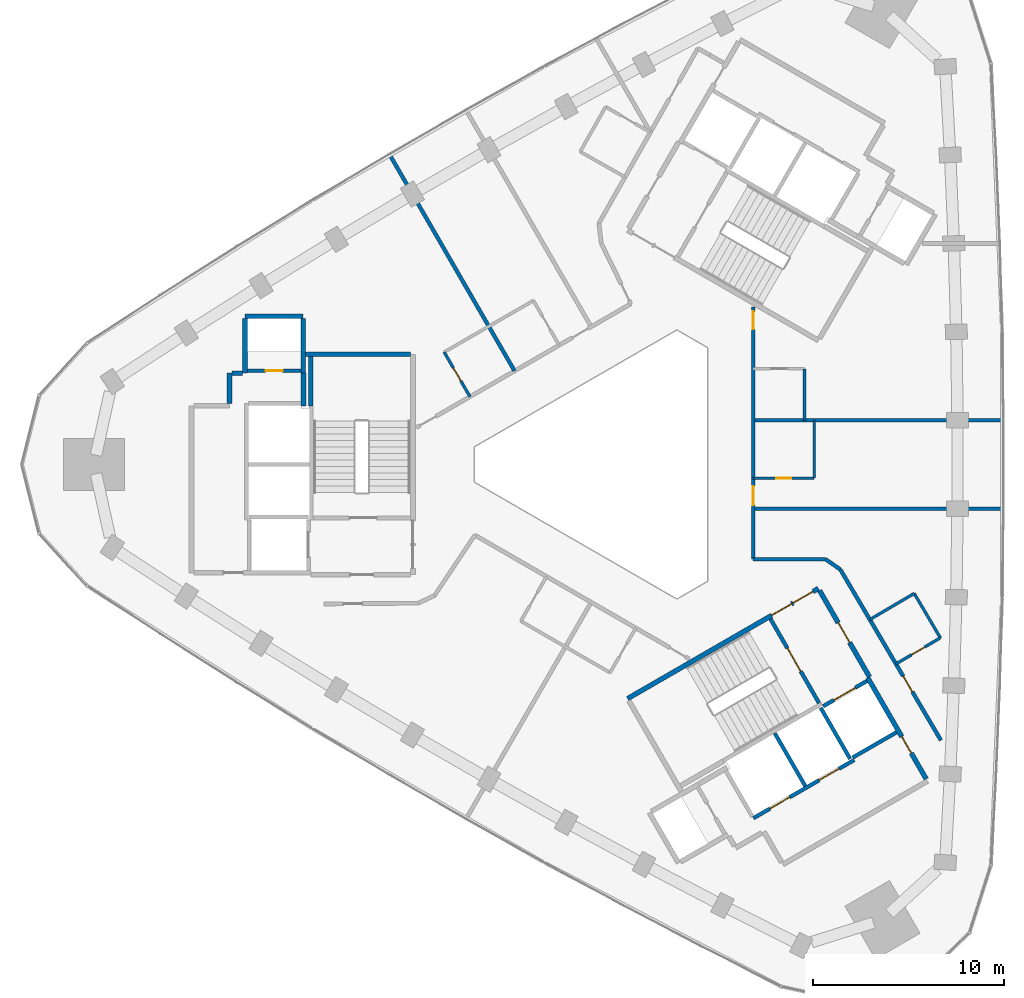
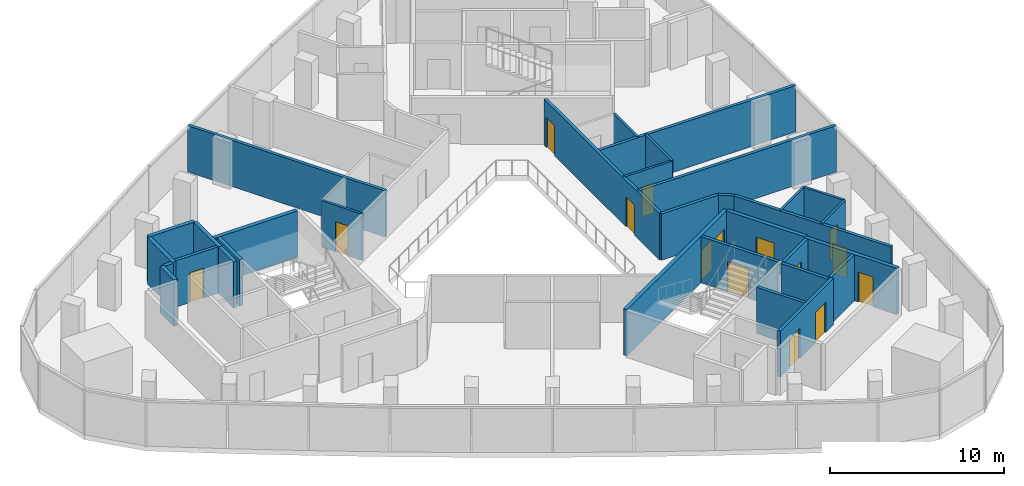
# One storey, part 8 of 11: 32 walls, 15 doors, 15 openings.
"""IFC4 building model written with IfcOpenShell, lengths in metres."""

from ifc_helpers import new_model, si_unit, direction, frame, frame_2d, origin, place, context, subcontext, project, spatial, rectangle, extrude, material, layer, layer_set, type_object, element, fill, save


model = new_model("IFC4")

# Units and contexts
model_context = context("Model", 3, precision=1e-05, world=origin(), true_north=direction((0.0, 1.0)))
body_context = subcontext(model_context, "Body", "Model", "MODEL_VIEW")
ifc_project = project(units=[si_unit("LENGTHUNIT", "METRE"), si_unit("AREAUNIT", "SQUARE_METRE"), si_unit("VOLUMEUNIT", "CUBIC_METRE"), si_unit("PLANEANGLEUNIT", "RADIAN"), si_unit("MASSUNIT", "GRAM", prefix="KILO")], contexts=[model_context])

# Site, building, storey
site_placement = place(None, origin())
site = spatial("IfcSite", under=ifc_project, at=site_placement, CompositionType="ELEMENT")
building_placement = place(site_placement, origin())
building = spatial("IfcBuilding", under=site, at=building_placement, Name="Tamra Quay Hotel Tower", CompositionType="ELEMENT")
storey_placement = place(building_placement, frame((0.0, 0.0, 190.0)))
storey = spatial("IfcBuildingStorey", under=building, at=storey_placement, Name="L47", CompositionType="ELEMENT", Elevation=190.0)

# Wall, opening, door
ifc_material_1 = material(Name="Concrete M70", Category="concrete")
ifc_layer_1 = layer(ifc_material_1, 0.199951171875)
ifc_layer_set_1 = layer_set([ifc_layer_1], Name="Concrete M70 core wall 200")
wall_type_1 = type_object("IfcWallType", Name="Concrete M70 core wall 200", PredefinedType="SHEAR", material=ifc_layer_set_1)
wall_1_placement = place(storey_placement, frame((-19.51123046875, 4.91015625, 0.0), z_axis=(0.0, 0.0, 1.0), x_axis=(1.0, 0.0, 0.0)))
wall_1 = element("IfcWall", 1, at=wall_1_placement, inside=storey, type_object=wall_type_1, Name="CW2", PredefinedType="SHEAR", context=body_context, shape_type="SweptSolid", body=[
    extrude(rectangle(XDim=2.7978515625, YDim=0.199951171875, at=frame_2d((1.39892578125, 0.0))), origin(), (0.0, 0.0, 1.0), 3.25),
])
opening_1_placement = place(wall_1_placement, frame((0.948974609375, 0.0, 0.0)))
opening_1 = element("IfcOpeningElement", 2, at=opening_1_placement, cuts=wall_1, Name="Opening D1", PredefinedType="OPENING", context=body_context, shape_type="SweptSolid", body=[
    extrude(rectangle(XDim=0.89990234375, YDim=2.10009765625, at=frame_2d((0.449951171875, 1.050048828125))), frame((0.0, 0.10986328125, 0.0), z_axis=(0.0, -1.0, 0.0), x_axis=(1.0, 0.0, 0.0)), (0.0, 0.0, 1.0), 0.219970703125),
])
ifc_material_2 = material(Name="Core door D1 900x2100 LH")
door_type_1 = type_object("IfcDoorType", Name="Core door D1 900x2100 LH", OperationType="NOTDEFINED", PredefinedType="DOOR", material=ifc_material_2)
door_1_placement = place(opening_1_placement, origin())
door_1 = element("IfcDoor", 3, at=door_1_placement, inside=storey, type_object=door_type_1, Name="D1", OperationType="SINGLE_SWING_LEFT", OverallHeight=2.10009765625, OverallWidth=0.89990234375, PredefinedType="DOOR", context=body_context, shape_type="SweptSolid", body=[
    extrude(rectangle(XDim=0.89990234375, YDim=2.10009765625, at=frame_2d((0.449951171875, 1.050048828125))), frame((0.0, 0.02490234375, 0.0), z_axis=(0.0, -1.0, 0.0), x_axis=(1.0, 0.0, 0.0)), (0.0, 0.0, 1.0), 0.050048828125),
])
fill(opening_1, door_1)

# Wall, openings, doors
wall_2_placement = place(storey_placement, frame((7.009765625, -18.54150390625, 0.0), z_axis=(0.0, 0.0, 1.0), x_axis=(0.866030299012, 0.499991521122, 0.0)))
wall_2 = element("IfcWall", 4, at=wall_2_placement, inside=storey, type_object=wall_type_1, Name="CW2", PredefinedType="SHEAR", context=body_context, shape_type="SweptSolid", body=[
    extrude(rectangle(XDim=6.10009765625, YDim=0.199951171875, at=frame_2d((3.050048828125, 0.0))), origin(), (0.0, 0.0, 1.0), 3.25),
])
opening_2_placement = place(wall_2_placement, frame((1.0, 0.0, 0.0)))
opening_2 = element("IfcOpeningElement", 5, at=opening_2_placement, cuts=wall_2, Name="Opening LD", PredefinedType="OPENING", context=body_context, shape_type="SweptSolid", body=[
    extrude(rectangle(XDim=1.199951171875, YDim=2.10009765625, at=frame_2d((0.60009765625, 1.050048828125))), frame((0.0, 0.10986328125, 0.0), z_axis=(0.0, -1.0, 0.0), x_axis=(1.0, 0.0, 0.0)), (0.0, 0.0, 1.0), 0.219970703125),
])
opening_3_placement = place(wall_2_placement, frame((3.982177734375, 0.0, 0.0)))
opening_3 = element("IfcOpeningElement", 6, at=opening_3_placement, cuts=wall_2, Name="Opening LD", PredefinedType="OPENING", context=body_context, shape_type="SweptSolid", body=[
    extrude(rectangle(XDim=1.199951171875, YDim=2.10009765625, at=frame_2d((0.60009765625, 1.050048828125))), frame((0.0, 0.10986328125, 0.0), z_axis=(0.0, -1.0, 0.0), x_axis=(1.0, 0.0, 0.0)), (0.0, 0.0, 1.0), 0.219970703125),
])
ifc_material_3 = material(Name="Landing door LD 1200 double door sliding")
door_type_2 = type_object("IfcDoorType", Name="Landing door LD 1200 double door sliding", OperationType="DOUBLE_DOOR_SLIDING", PredefinedType="DOOR", material=ifc_material_3)
door_2_placement = place(opening_2_placement, origin())
door_2 = element("IfcDoor", 7, at=door_2_placement, inside=storey, type_object=door_type_2, Name="LD", OperationType="DOUBLE_DOOR_SLIDING", OverallHeight=2.10009765625, OverallWidth=1.199951171875, PredefinedType="DOOR", context=body_context, shape_type="SweptSolid", body=[
    extrude(rectangle(XDim=1.199951171875, YDim=2.10009765625, at=frame_2d((0.60009765625, 1.050048828125))), frame((0.0, 0.02490234375, 0.0), z_axis=(0.0, -1.0, 0.0), x_axis=(1.0, 0.0, 0.0)), (0.0, 0.0, 1.0), 0.050048828125),
])
fill(opening_2, door_2)
door_3_placement = place(opening_3_placement, origin())
door_3 = element("IfcDoor", 8, at=door_3_placement, inside=storey, type_object=door_type_2, Name="LD", OperationType="DOUBLE_DOOR_SLIDING", OverallHeight=2.10009765625, OverallWidth=1.199951171875, PredefinedType="DOOR", context=body_context, shape_type="SweptSolid", body=[
    extrude(rectangle(XDim=1.199951171875, YDim=2.10009765625, at=frame_2d((0.60009765625, 1.050048828125))), frame((0.0, 0.02490234375, 0.0), z_axis=(0.0, -1.0, 0.0), x_axis=(1.0, 0.0, 0.0)), (0.0, 0.0, 1.0), 0.050048828125),
])
fill(opening_3, door_3)

# Wall, opening, door
wall_3_placement = place(storey_placement, frame((7.906494140625, -8.094482421875, 0.0), z_axis=(0.0, 0.0, 1.0), x_axis=(0.500027839223, -0.866009330205, 0.0)))
wall_3 = element("IfcWall", 9, at=wall_3_placement, inside=storey, type_object=wall_type_1, Name="CW2", PredefinedType="SHEAR", context=body_context, shape_type="SweptSolid", body=[
    extrude(rectangle(XDim=5.097900390625, YDim=0.199951171875, at=frame_2d((2.548828125, 0.0))), origin(), (0.0, 0.0, 1.0), 3.25),
])
opening_4_placement = place(wall_3_placement, frame((1.77392578125, 0.0, 0.0)))
opening_4 = element("IfcOpeningElement", 10, at=opening_4_placement, cuts=wall_3, Name="Opening FD2", PredefinedType="OPENING", context=body_context, shape_type="SweptSolid", body=[
    extrude(rectangle(XDim=1.39990234375, YDim=2.10009765625, at=frame_2d((0.699951171875, 1.050048828125))), frame((0.0, 0.10986328125, 0.0), z_axis=(0.0, -1.0, 0.0), x_axis=(1.0, 0.0, 0.0)), (0.0, 0.0, 1.0), 0.219970703125),
])
ifc_material_4 = material(Name="Core door FD2 1400x2100 LH")
door_type_3 = type_object("IfcDoorType", Name="Core door FD2 1400x2100 LH", OperationType="NOTDEFINED", PredefinedType="DOOR", material=ifc_material_4)
door_4_placement = place(opening_4_placement, origin())
door_4 = element("IfcDoor", 11, at=door_4_placement, inside=storey, type_object=door_type_3, Name="FD2", OperationType="SINGLE_SWING_LEFT", OverallHeight=2.10009765625, OverallWidth=1.39990234375, PredefinedType="DOOR", context=body_context, shape_type="SweptSolid", body=[
    extrude(rectangle(XDim=1.39990234375, YDim=2.10009765625, at=frame_2d((0.699951171875, 1.050048828125))), frame((0.0, 0.02490234375, 0.0), z_axis=(0.0, -1.0, 0.0), x_axis=(1.0, 0.0, 0.0)), (0.0, 0.0, 1.0), 0.050048828125),
])
fill(opening_4, door_4)

# Walls
wall_4_placement = place(storey_placement, frame((8.131591796875, -14.084228515625, 0.0), z_axis=(0.0, 0.0, 1.0), x_axis=(0.499997778408, -0.866026686418, 0.0)))
element("IfcWall", 12, at=wall_4_placement, inside=storey, type_object=wall_type_1, Name="CW2", PredefinedType="SHEAR", context=body_context, shape_type="SweptSolid", body=[
    extrude(rectangle(XDim=3.1982421875, YDim=0.199951171875, at=frame_2d((1.59912109375, 0.0))), origin(), (0.0, 0.0, 1.0), 3.25),
])
wall_5_placement = place(storey_placement, frame((12.087646484375, -15.4365234375, 0.0), z_axis=(0.0, 0.0, 1.0), x_axis=(-0.500026960575, 0.86600983753, 0.0)))
element("IfcWall", 13, at=wall_5_placement, inside=storey, type_object=wall_type_1, Name="CW2", PredefinedType="SHEAR", context=body_context, shape_type="SweptSolid", body=[
    extrude(rectangle(XDim=3.099853515625, YDim=0.199951171875, at=frame_2d((1.5498046875, 0.0))), origin(), (0.0, 0.0, 1.0), 3.25),
])

# Wall, opening, door
wall_6_placement = place(storey_placement, frame((10.666015625, -12.677734375, 0.0), z_axis=(0.0, 0.0, 1.0), x_axis=(0.866018407898, 0.500012117035, 0.0)))
wall_6 = element("IfcWall", 14, at=wall_6_placement, inside=storey, type_object=wall_type_1, Name="CW2", PredefinedType="SHEAR", context=body_context, shape_type="SweptSolid", body=[
    extrude(rectangle(XDim=2.65087890625, YDim=0.199951171875, at=frame_2d((1.325439453125, 0.0))), origin(), (0.0, 0.0, 1.0), 3.25),
])
opening_5_placement = place(wall_6_placement, frame((0.65185546875, 0.0, 0.0)))
opening_5 = element("IfcOpeningElement", 15, at=opening_5_placement, cuts=wall_6, Name="Opening LD", PredefinedType="OPENING", context=body_context, shape_type="SweptSolid", body=[
    extrude(rectangle(XDim=1.300048828125, YDim=2.10009765625, at=frame_2d((0.64990234375, 1.050048828125))), frame((0.0, 0.10986328125, 0.0), z_axis=(0.0, -1.0, 0.0), x_axis=(1.0, 0.0, 0.0)), (0.0, 0.0, 1.0), 0.219970703125),
])
ifc_material_5 = material(Name="Landing door LD 1300 sliding to left")
door_type_4 = type_object("IfcDoorType", Name="Landing door LD 1300 sliding to left", OperationType="NOTDEFINED", PredefinedType="DOOR", material=ifc_material_5)
door_5_placement = place(opening_5_placement, origin())
door_5 = element("IfcDoor", 16, at=door_5_placement, inside=storey, type_object=door_type_4, Name="LD", OperationType="SLIDING_TO_LEFT", OverallHeight=2.10009765625, OverallWidth=1.300048828125, PredefinedType="DOOR", context=body_context, shape_type="SweptSolid", body=[
    extrude(rectangle(XDim=1.300048828125, YDim=2.10009765625, at=frame_2d((0.64990234375, 1.050048828125))), frame((0.0, 0.02490234375, 0.0), z_axis=(0.0, -1.0, 0.0), x_axis=(1.0, 0.0, 0.0)), (0.0, 0.0, 1.0), 0.050048828125),
])
fill(opening_5, door_5)

# Walls
wall_7_placement = place(storey_placement, frame((14.51171875, -14.037109375, 0.0), z_axis=(0.0, 0.0, 1.0), x_axis=(-0.866018407898, -0.500012117035, 0.0)))
element("IfcWall", 17, at=wall_7_placement, inside=storey, type_object=wall_type_1, Name="CW2", PredefinedType="SHEAR", context=body_context, shape_type="SweptSolid", body=[
    extrude(rectangle(XDim=2.65087890625, YDim=0.199951171875, at=frame_2d((1.325439453125, 0.0))), origin(), (0.0, 0.0, 1.0), 3.25),
])
ifc_layer_2 = layer(ifc_material_1, 0.25)
ifc_layer_set_2 = layer_set([ifc_layer_2], Name="Concrete M70 core wall 250")
wall_type_2 = type_object("IfcWallType", Name="Concrete M70 core wall 250", PredefinedType="SHEAR", material=ifc_layer_set_2)
wall_8_placement = place(storey_placement, frame((-16.47216796875, 5.77490234375, 0.0), z_axis=(0.0, 0.0, 1.0), x_axis=(1.0, 0.0, 0.0)))
element("IfcWall", 18, at=wall_8_placement, inside=storey, type_object=wall_type_2, Name="CW1", PredefinedType="SHEAR", context=body_context, shape_type="SweptSolid", body=[
    extrude(rectangle(XDim=5.509521484375, YDim=0.25, at=frame_2d((2.7548828125, 0.0))), origin(), (0.0, 0.0, 1.0), 3.25),
])
wall_9_placement = place(storey_placement, frame((-19.63720703125, 7.77490234375, 0.0), z_axis=(0.0, 0.0, 1.0), x_axis=(1.0, 0.0, 0.0)))
element("IfcWall", 19, at=wall_9_placement, inside=storey, type_object=wall_type_2, Name="CW1", PredefinedType="SHEAR", context=body_context, shape_type="SweptSolid", body=[
    extrude(rectangle(XDim=3.0498046875, YDim=0.25, at=frame_2d((1.52490234375, 0.0))), origin(), (0.0, 0.0, 1.0), 3.25),
])
for number, where, z_axis, x_axis, name in (
    (20, (-16.58740234375, 7.649658203125, 0.0), (0.0, 0.0, 1.0), (0.0, -1.0, 0.0), "CW1"),
    (21, (-19.63720703125, 4.784912109375, 0.0), (0.0, 0.0, 1.0), (0.0, 1.0, 0.0), "CW1"),
):
    element("IfcWall", number, at=place(storey_placement, frame(where, z_axis=z_axis, x_axis=x_axis)), inside=storey, type_object=wall_type_2, Name=name, PredefinedType="SHEAR", context=body_context, shape_type="SweptSolid", body=[
        extrude(rectangle(XDim=2.86474609375, YDim=0.25, at=frame_2d((1.432373046875, 0.0))), origin(), (0.0, 0.0, 1.0), 3.25),
    ])
wall_10_placement = place(storey_placement, frame((-16.187255859375, 3.074951171875, 0.0), z_axis=(0.0, 0.0, 1.0), x_axis=(0.0, 1.0, 0.0)))
element("IfcWall", 22, at=wall_10_placement, inside=storey, type_object=wall_type_2, Name="CW1", PredefinedType="SHEAR", context=body_context, shape_type="SweptSolid", body=[
    extrude(rectangle(XDim=2.57470703125, YDim=0.25, at=frame_2d((1.287353515625, 0.0))), origin(), (0.0, 0.0, 1.0), 3.25),
])
wall_11_placement = place(storey_placement, frame((-16.577392578125, 4.784912109375, 0.0), z_axis=(0.0, 0.0, 1.0), x_axis=(0.0, -1.0, 0.0)))
element("IfcWall", 23, at=wall_11_placement, inside=storey, type_object=wall_type_2, Name="CW1", PredefinedType="SHEAR", context=body_context, shape_type="SweptSolid", body=[
    extrude(rectangle(XDim=1.7099609375, YDim=0.25, at=frame_2d((0.85498046875, 0.0))), origin(), (0.0, 0.0, 1.0), 3.25),
])
wall_12_placement = place(storey_placement, frame((-20.447265625, 3.200439453125, 0.0), z_axis=(0.0, 0.0, 1.0), x_axis=(0.0, 1.0, 0.0)))
element("IfcWall", 24, at=wall_12_placement, inside=storey, type_object=wall_type_2, Name="CW1", PredefinedType="SHEAR", context=body_context, shape_type="SweptSolid", body=[
    extrude(rectangle(XDim=1.58447265625, YDim=0.25, at=frame_2d((0.792236328125, 0.0))), origin(), (0.0, 0.0, 1.0), 3.25),
])
wall_13_placement = place(storey_placement, frame((-20.32177734375, 4.784912109375, 0.0), z_axis=(0.0, 0.0, 1.0), x_axis=(1.0, 0.0, 0.0)))
element("IfcWall", 25, at=wall_13_placement, inside=storey, type_object=wall_type_2, Name="CW1", PredefinedType="SHEAR", context=body_context, shape_type="SweptSolid", body=[
    extrude(rectangle(XDim=0.55908203125, YDim=0.25, at=frame_2d((0.279541015625, 0.0))), origin(), (0.0, 0.0, 1.0), 3.25),
])

# Wall, openings, doors
wall_14_placement = place(storey_placement, frame((0.417236328125, -12.27294921875, 0.0), z_axis=(0.0, 0.0, 1.0), x_axis=(0.866021906294, 0.500006057782, 0.0)))
wall_14 = element("IfcWall", 26, at=wall_14_placement, inside=storey, type_object=wall_type_2, Name="CW1", PredefinedType="SHEAR", context=body_context, shape_type="SweptSolid", body=[
    extrude(rectangle(XDim=11.550048828125, YDim=0.25, at=frame_2d((5.77490234375, 0.0))), origin(), (0.0, 0.0, 1.0), 3.25),
])
opening_6_placement = place(wall_14_placement, frame((10.024658203125, 0.0, 0.0)))
opening_6 = element("IfcOpeningElement", 27, at=opening_6_placement, cuts=wall_14, Name="Opening FD1", PredefinedType="OPENING", context=body_context, shape_type="SweptSolid", body=[
    extrude(rectangle(XDim=1.199951171875, YDim=2.10009765625, at=frame_2d((0.60009765625, 1.050048828125))), frame((0.0, 0.135009765625, 0.0), z_axis=(0.0, -1.0, 0.0), x_axis=(1.0, 0.0, 0.0)), (0.0, 0.0, 1.0), 0.27001953125),
])
opening_7_placement = place(wall_14_placement, frame((8.724609375, 0.0, 0.0)))
opening_7 = element("IfcOpeningElement", 28, at=opening_7_placement, cuts=wall_14, Name="Opening FD1", PredefinedType="OPENING", context=body_context, shape_type="SweptSolid", body=[
    extrude(rectangle(XDim=1.199951171875, YDim=2.10009765625, at=frame_2d((0.60009765625, 1.050048828125))), frame((0.0, 0.135009765625, 0.0), z_axis=(0.0, -1.0, 0.0), x_axis=(1.0, 0.0, 0.0)), (0.0, 0.0, 1.0), 0.27001953125),
])
ifc_material_6 = material(Name="Core door FD1 1200x2100 LH")
door_type_5 = type_object("IfcDoorType", Name="Core door FD1 1200x2100 LH", OperationType="NOTDEFINED", PredefinedType="DOOR", material=ifc_material_6)
door_6_placement = place(opening_6_placement, origin())
door_6 = element("IfcDoor", 29, at=door_6_placement, inside=storey, type_object=door_type_5, Name="FD1", OperationType="SINGLE_SWING_LEFT", OverallHeight=2.10009765625, OverallWidth=1.199951171875, PredefinedType="DOOR", context=body_context, shape_type="SweptSolid", body=[
    extrude(rectangle(XDim=1.199951171875, YDim=2.10009765625, at=frame_2d((0.60009765625, 1.050048828125))), frame((0.0, 0.02490234375, 0.0), z_axis=(0.0, -1.0, 0.0), x_axis=(1.0, 0.0, 0.0)), (0.0, 0.0, 1.0), 0.050048828125),
])
fill(opening_6, door_6)
ifc_material_7 = material(Name="Core door FD1 1200x2100 RH")
door_type_6 = type_object("IfcDoorType", Name="Core door FD1 1200x2100 RH", OperationType="NOTDEFINED", PredefinedType="DOOR", material=ifc_material_7)
door_7_placement = place(opening_7_placement, origin())
door_7 = element("IfcDoor", 30, at=door_7_placement, inside=storey, type_object=door_type_6, Name="FD1", OperationType="SINGLE_SWING_RIGHT", OverallHeight=2.10009765625, OverallWidth=1.199951171875, PredefinedType="DOOR", context=body_context, shape_type="SweptSolid", body=[
    extrude(rectangle(XDim=1.199951171875, YDim=2.10009765625, at=frame_2d((0.60009765625, 1.050048828125))), frame((0.0, 0.02490234375, 0.0), z_axis=(0.0, -1.0, 0.0), x_axis=(1.0, 0.0, 0.0)), (0.0, 0.0, 1.0), 0.050048828125),
])
fill(opening_7, door_7)

# Wall, opening, door
wall_15_placement = place(storey_placement, frame((13.00830078125, -11.18115234375, 0.0), z_axis=(0.0, 0.0, 1.0), x_axis=(0.500001955336, -0.866024274868, 0.0)))
wall_15 = element("IfcWall", 31, at=wall_15_placement, inside=storey, type_object=wall_type_2, Name="CW1", PredefinedType="SHEAR", context=body_context, shape_type="SweptSolid", body=[
    extrude(rectangle(XDim=6.12451171875, YDim=0.25, at=frame_2d((3.062255859375, 0.0))), origin(), (0.0, 0.0, 1.0), 3.25),
])
opening_8_placement = place(wall_15_placement, frame((3.562744140625, 0.0, 0.0)))
opening_8 = element("IfcOpeningElement", 32, at=opening_8_placement, cuts=wall_15, Name="Opening FD3", PredefinedType="OPENING", context=body_context, shape_type="SweptSolid", body=[
    extrude(rectangle(XDim=1.0, YDim=2.10009765625, at=frame_2d((0.5, 1.050048828125))), frame((0.0, 0.135009765625, 0.0), z_axis=(0.0, -1.0, 0.0), x_axis=(1.0, 0.0, 0.0)), (0.0, 0.0, 1.0), 0.27001953125),
])
ifc_material_8 = material(Name="Core door FD3 1000x2100 LH")
door_type_7 = type_object("IfcDoorType", Name="Core door FD3 1000x2100 LH", OperationType="NOTDEFINED", PredefinedType="DOOR", material=ifc_material_8)
door_8_placement = place(opening_8_placement, origin())
door_8 = element("IfcDoor", 33, at=door_8_placement, inside=storey, type_object=door_type_7, Name="FD3", OperationType="SINGLE_SWING_LEFT", OverallHeight=2.10009765625, OverallWidth=1.0, PredefinedType="DOOR", context=body_context, shape_type="SweptSolid", body=[
    extrude(rectangle(XDim=1.0, YDim=2.10009765625, at=frame_2d((0.5, 1.050048828125))), frame((0.0, 0.02490234375, 0.0), z_axis=(0.0, -1.0, 0.0), x_axis=(1.0, 0.0, 0.0)), (0.0, 0.0, 1.0), 0.050048828125),
])
fill(opening_8, door_8)

wall_16_placement = place(storey_placement, frame((10.482666015625, -6.6064453125, 0.0), z_axis=(0.0, 0.0, 1.0), x_axis=(0.49999885962, -0.866026062182, 0.0)))
wall_16 = element("IfcWall", 34, at=wall_16_placement, inside=storey, type_object=wall_type_2, Name="CW1", PredefinedType="SHEAR", context=body_context, shape_type="SweptSolid", body=[
    extrude(rectangle(XDim=5.224609375, YDim=0.25, at=frame_2d((2.6123046875, 0.0))), origin(), (0.0, 0.0, 1.0), 3.25),
])
opening_9_placement = place(wall_16_placement, frame((1.94970703125, 0.0, 0.0)))
opening_9 = element("IfcOpeningElement", 35, at=opening_9_placement, cuts=wall_16, Name="Opening D2", PredefinedType="OPENING", context=body_context, shape_type="SweptSolid", body=[
    extrude(rectangle(XDim=1.199951171875, YDim=2.10009765625, at=frame_2d((0.60009765625, 1.050048828125))), frame((0.0, 0.135009765625, 0.0), z_axis=(0.0, -1.0, 0.0), x_axis=(1.0, 0.0, 0.0)), (0.0, 0.0, 1.0), 0.27001953125),
])
ifc_material_9 = material(Name="Core door D2 1200x2100 RH")
door_type_8 = type_object("IfcDoorType", Name="Core door D2 1200x2100 RH", OperationType="NOTDEFINED", PredefinedType="DOOR", material=ifc_material_9)
door_9_placement = place(opening_9_placement, origin())
door_9 = element("IfcDoor", 36, at=door_9_placement, inside=storey, type_object=door_type_8, Name="D2", OperationType="SINGLE_SWING_RIGHT", OverallHeight=2.10009765625, OverallWidth=1.199951171875, PredefinedType="DOOR", context=body_context, shape_type="SweptSolid", body=[
    extrude(rectangle(XDim=1.199951171875, YDim=2.10009765625, at=frame_2d((0.60009765625, 1.050048828125))), frame((0.0, 0.02490234375, 0.0), z_axis=(0.0, -1.0, 0.0), x_axis=(1.0, 0.0, 0.0)), (0.0, 0.0, 1.0), 0.050048828125),
])
fill(opening_9, door_9)

# Wall, openings, doors
ifc_material_10 = material(Name="Partition corridor wall")
ifc_layer_3 = layer(ifc_material_10, 0.199951171875)
ifc_layer_set_3 = layer_set([ifc_layer_3], Name="Partition corridor wall")
wall_type_3 = type_object("IfcWallType", Name="Partition corridor wall", PredefinedType="PARTITIONING", material=ifc_layer_set_3)
wall_17_placement = place(storey_placement, frame((7.0, -4.966064453125, 0.0), z_axis=(0.0, 0.0, 1.0), x_axis=(0.0, 1.0, 0.0)))
wall_17 = element("IfcWall", 37, at=wall_17_placement, inside=storey, type_object=wall_type_3, Name="W-C", PredefinedType="PARTITIONING", context=body_context, shape_type="SweptSolid", body=[
    extrude(rectangle(XDim=13.224853515625, YDim=0.199951171875, at=frame_2d((6.6123046875, 0.0))), origin(), (0.0, 0.0, 1.0), 3.25),
])
opening_10_placement = place(wall_17_placement, frame((2.8349609375, 0.0, 0.0)))
opening_10 = element("IfcOpeningElement", 38, at=opening_10_placement, cuts=wall_17, Name="Opening L47-D003", PredefinedType="OPENING", context=body_context, shape_type="SweptSolid", body=[
    extrude(rectangle(XDim=1.0, YDim=2.10009765625, at=frame_2d((0.5, 1.050048828125))), frame((0.0, 0.10986328125, 0.0), z_axis=(0.0, -1.0, 0.0), x_axis=(1.0, 0.0, 0.0)), (0.0, 0.0, 1.0), 0.219970703125),
])
opening_11_placement = place(wall_17_placement, frame((12.04541015625, 0.0, 0.0)))
opening_11 = element("IfcOpeningElement", 39, at=opening_11_placement, cuts=wall_17, Name="Opening L47-D005", PredefinedType="OPENING", context=body_context, shape_type="SweptSolid", body=[
    extrude(rectangle(XDim=0.949951171875, YDim=2.10009765625, at=frame_2d((0.47509765625, 1.050048828125))), frame((0.0, 0.10986328125, 0.0), z_axis=(0.0, -1.0, 0.0), x_axis=(1.0, 0.0, 0.0)), (0.0, 0.0, 1.0), 0.219970703125),
])
ifc_material_11 = material(Name="Door guest room 1000x2100")
door_type_9 = type_object("IfcDoorType", Name="Door guest room 1000x2100", OperationType="NOTDEFINED", PredefinedType="DOOR", material=ifc_material_11)
door_10_placement = place(opening_10_placement, frame((1.0, 0.0, 0.0), z_axis=(0.0, 0.0, 1.0), x_axis=(-1.0, 0.0, 0.0)))
door_10 = element("IfcDoor", 40, at=door_10_placement, inside=storey, type_object=door_type_9, Name="L47-D003", OperationType="SINGLE_SWING_LEFT", OverallHeight=2.10009765625, OverallWidth=1.0, PredefinedType="DOOR", context=body_context, shape_type="SweptSolid", body=[
    extrude(rectangle(XDim=1.0, YDim=2.10009765625, at=frame_2d((0.5, 1.050048828125))), frame((0.0, 0.02490234375, 0.0), z_axis=(0.0, -1.0, 0.0), x_axis=(1.0, 0.0, 0.0)), (0.0, 0.0, 1.0), 0.050048828125),
])
fill(opening_10, door_10)
ifc_material_12 = material(Name="Door guest room 950x2100")
door_type_10 = type_object("IfcDoorType", Name="Door guest room 950x2100", OperationType="NOTDEFINED", PredefinedType="DOOR", material=ifc_material_12)
door_11_placement = place(opening_11_placement, frame((0.949951171875, 0.0, 0.0), z_axis=(0.0, 0.0, 1.0), x_axis=(-1.0, 0.0, 0.0)))
door_11 = element("IfcDoor", 41, at=door_11_placement, inside=storey, type_object=door_type_10, Name="L47-D005", OperationType="SINGLE_SWING_LEFT", OverallHeight=2.10009765625, OverallWidth=0.949951171875, PredefinedType="DOOR", context=body_context, shape_type="SweptSolid", body=[
    extrude(rectangle(XDim=0.949951171875, YDim=2.10009765625, at=frame_2d((0.47509765625, 1.050048828125))), frame((0.0, 0.02490234375, 0.0), z_axis=(0.0, -1.0, 0.0), x_axis=(1.0, 0.0, 0.0)), (0.0, 0.0, 1.0), 0.050048828125),
])
fill(opening_11, door_11)

# Walls
wall_18_placement = place(storey_placement, frame((7.0, -4.966064453125, 0.0), z_axis=(0.0, 0.0, 1.0), x_axis=(1.0, 0.0, 0.0)))
element("IfcWall", 42, at=wall_18_placement, inside=storey, type_object=wall_type_3, Name="W-C", PredefinedType="PARTITIONING", context=body_context, shape_type="SweptSolid", body=[
    extrude(rectangle(XDim=3.79296875, YDim=0.199951171875, at=frame_2d((1.896484375, 0.0))), origin(), (0.0, 0.0, 1.0), 3.25),
])
wall_19_placement = place(storey_placement, frame((10.7939453125, -4.966064453125, 0.0), z_axis=(0.0, 0.0, 1.0), x_axis=(0.822266583859, -0.569102508401, 0.0)))
element("IfcWall", 43, at=wall_19_placement, inside=storey, type_object=wall_type_3, Name="W-C", PredefinedType="PARTITIONING", context=body_context, shape_type="SweptSolid", body=[
    extrude(rectangle(XDim=0.945068359375, YDim=0.199951171875, at=frame_2d((0.47265625, 0.0))), origin(), (0.0, 0.0, 1.0), 3.25),
])

# Wall, opening, door
wall_20_placement = place(storey_placement, frame((11.571044921875, -5.5048828125, 0.0), z_axis=(0.0, 0.0, 1.0), x_axis=(0.507402039651, -0.861709446483, 0.0)))
wall_20 = element("IfcWall", 44, at=wall_20_placement, inside=storey, type_object=wall_type_3, Name="W-C", PredefinedType="PARTITIONING", context=body_context, shape_type="SweptSolid", body=[
    extrude(rectangle(XDim=10.39111328125, YDim=0.199951171875, at=frame_2d((5.195556640625, 0.0))), origin(), (0.0, 0.0, 1.0), 3.25),
])
opening_12_placement = place(wall_20_placement, frame((6.4912109375, 0.0, 0.0)))
opening_12 = element("IfcOpeningElement", 45, at=opening_12_placement, cuts=wall_20, Name="Opening L47-D001", PredefinedType="OPENING", context=body_context, shape_type="SweptSolid", body=[
    extrude(rectangle(XDim=0.949951171875, YDim=2.10009765625, at=frame_2d((0.47509765625, 1.050048828125))), frame((0.0, 0.10986328125, 0.0), z_axis=(0.0, -1.0, 0.0), x_axis=(1.0, 0.0, 0.0)), (0.0, 0.0, 1.0), 0.219970703125),
])
door_12_placement = place(opening_12_placement, origin())
door_12 = element("IfcDoor", 46, at=door_12_placement, inside=storey, type_object=door_type_10, Name="L47-D001", OperationType="SINGLE_SWING_LEFT", OverallHeight=2.10009765625, OverallWidth=0.949951171875, PredefinedType="DOOR", context=body_context, shape_type="SweptSolid", body=[
    extrude(rectangle(XDim=0.949951171875, YDim=2.10009765625, at=frame_2d((0.47509765625, 1.050048828125))), frame((0.0, 0.02490234375, 0.0), z_axis=(0.0, -1.0, 0.0), x_axis=(1.0, 0.0, 0.0)), (0.0, 0.0, 1.0), 0.050048828125),
])
fill(opening_12, door_12)

ifc_material_13 = material(Name="Partition en-suite wall")
ifc_layer_4 = layer(ifc_material_13, 0.14990234375)
ifc_layer_set_4 = layer_set([ifc_layer_4], Name="Partition en-suite wall")
wall_type_4 = type_object("IfcWallType", Name="Partition en-suite wall", PredefinedType="PARTITIONING", material=ifc_layer_set_4)
wall_21_placement = place(storey_placement, frame((-9.195068359375, 5.888916015625, 0.0), z_axis=(0.0, 0.0, 1.0), x_axis=(0.500129820725, -0.865950438779, 0.0)))
wall_21 = element("IfcWall", 47, at=wall_21_placement, inside=storey, type_object=wall_type_4, Name="W-E", PredefinedType="PARTITIONING", context=body_context, shape_type="SweptSolid", body=[
    extrude(rectangle(XDim=2.697509765625, YDim=0.14990234375, at=frame_2d((1.3486328125, 0.0))), origin(), (0.0, 0.0, 1.0), 3.25),
])
opening_13_placement = place(wall_21_placement, frame((0.947509765625, 0.0, 0.0)))
opening_13 = element("IfcOpeningElement", 48, at=opening_13_placement, cuts=wall_21, Name="Opening L47-D017", PredefinedType="OPENING", context=body_context, shape_type="SweptSolid", body=[
    extrude(rectangle(XDim=0.800048828125, YDim=2.10009765625, at=frame_2d((0.39990234375, 1.050048828125))), frame((0.0, 0.0849609375, 0.0), z_axis=(0.0, -1.0, 0.0), x_axis=(1.0, 0.0, 0.0)), (0.0, 0.0, 1.0), 0.169921875),
])
ifc_material_14 = material(Name="Door en-suite 800x2100")
door_type_11 = type_object("IfcDoorType", Name="Door en-suite 800x2100", OperationType="NOTDEFINED", PredefinedType="DOOR", material=ifc_material_14)
door_13_placement = place(opening_13_placement, frame((0.800048828125, 0.0, 0.0), z_axis=(0.0, 0.0, 1.0), x_axis=(-1.0, 0.0, 0.0)))
door_13 = element("IfcDoor", 49, at=door_13_placement, inside=storey, type_object=door_type_11, Name="L47-D017", OperationType="SINGLE_SWING_LEFT", OverallHeight=2.10009765625, OverallWidth=0.800048828125, PredefinedType="DOOR", context=body_context, shape_type="SweptSolid", body=[
    extrude(rectangle(XDim=0.800048828125, YDim=2.10009765625, at=frame_2d((0.39990234375, 1.050048828125))), frame((0.0, 0.02490234375, 0.0), z_axis=(0.0, -1.0, 0.0), x_axis=(1.0, 0.0, 0.0)), (0.0, 0.0, 1.0), 0.050048828125),
])
fill(opening_13, door_13)

wall_22_placement = place(storey_placement, frame((7.0, -0.718994140625, 0.0), z_axis=(0.0, 0.0, 1.0), x_axis=(1.0, 0.0, 0.0)))
wall_22 = element("IfcWall", 50, at=wall_22_placement, inside=storey, type_object=wall_type_4, Name="W-E", PredefinedType="PARTITIONING", context=body_context, shape_type="SweptSolid", body=[
    extrude(rectangle(XDim=3.199951171875, YDim=0.14990234375, at=frame_2d((1.60009765625, 0.0))), origin(), (0.0, 0.0, 1.0), 3.25),
])
opening_14_placement = place(wall_22_placement, frame((1.199951171875, 0.0, 0.0)))
opening_14 = element("IfcOpeningElement", 51, at=opening_14_placement, cuts=wall_22, Name="Opening L47-D004", PredefinedType="OPENING", context=body_context, shape_type="SweptSolid", body=[
    extrude(rectangle(XDim=0.800048828125, YDim=2.10009765625, at=frame_2d((0.39990234375, 1.050048828125))), frame((0.0, 0.0849609375, 0.0), z_axis=(0.0, -1.0, 0.0), x_axis=(1.0, 0.0, 0.0)), (0.0, 0.0, 1.0), 0.169921875),
])
door_14_placement = place(opening_14_placement, origin())
door_14 = element("IfcDoor", 52, at=door_14_placement, inside=storey, type_object=door_type_11, Name="L47-D004", OperationType="SINGLE_SWING_LEFT", OverallHeight=2.10009765625, OverallWidth=0.800048828125, PredefinedType="DOOR", context=body_context, shape_type="SweptSolid", body=[
    extrude(rectangle(XDim=0.800048828125, YDim=2.10009765625, at=frame_2d((0.39990234375, 1.050048828125))), frame((0.0, 0.02490234375, 0.0), z_axis=(0.0, -1.0, 0.0), x_axis=(1.0, 0.0, 0.0)), (0.0, 0.0, 1.0), 0.050048828125),
])
fill(opening_14, door_14)

# Walls
wall_23_placement = place(storey_placement, frame((9.699951171875, 2.319091796875, 0.0), z_axis=(0.0, 0.0, 1.0), x_axis=(0.0, 1.0, 0.0)))
element("IfcWall", 53, at=wall_23_placement, inside=storey, type_object=wall_type_4, Name="W-E", PredefinedType="PARTITIONING", context=body_context, shape_type="SweptSolid", body=[
    extrude(rectangle(XDim=2.699951171875, YDim=0.14990234375, at=frame_2d((1.35009765625, 0.0))), origin(), (0.0, 0.0, 1.0), 3.25),
])
wall_24_placement = place(storey_placement, frame((10.199951171875, -0.718994140625, 0.0), z_axis=(0.0, 0.0, 1.0), x_axis=(0.0, 1.0, 0.0)))
element("IfcWall", 54, at=wall_24_placement, inside=storey, type_object=wall_type_4, Name="W-E", PredefinedType="PARTITIONING", context=body_context, shape_type="SweptSolid", body=[
    extrude(rectangle(XDim=3.0380859375, YDim=0.14990234375, at=frame_2d((1.51904296875, 0.0))), origin(), (0.0, 0.0, 1.0), 3.25),
])
wall_25_placement = place(storey_placement, frame((13.115966796875, -8.12890625, 0.0), z_axis=(0.0, 0.0, 1.0), x_axis=(0.861885352062, 0.507103184669, 0.0)))
element("IfcWall", 55, at=wall_25_placement, inside=storey, type_object=wall_type_4, Name="W-E", PredefinedType="PARTITIONING", context=body_context, shape_type="SweptSolid", body=[
    extrude(rectangle(XDim=2.697509765625, YDim=0.14990234375, at=frame_2d((1.3486328125, 0.0))), origin(), (0.0, 0.0, 1.0), 3.25),
])

# Wall, opening, door
wall_26_placement = place(storey_placement, frame((14.487060546875, -10.455078125, 0.0), z_axis=(0.0, 0.0, 1.0), x_axis=(0.861752634979, 0.507328686461, 0.0)))
wall_26 = element("IfcWall", 56, at=wall_26_placement, inside=storey, type_object=wall_type_4, Name="W-E", PredefinedType="PARTITIONING", context=body_context, shape_type="SweptSolid", body=[
    extrude(rectangle(XDim=2.69677734375, YDim=0.14990234375, at=frame_2d((1.348388671875, 0.0))), origin(), (0.0, 0.0, 1.0), 3.25),
])
opening_15_placement = place(wall_26_placement, frame((0.948486328125, 0.0, 0.0)))
opening_15 = element("IfcOpeningElement", 57, at=opening_15_placement, cuts=wall_26, Name="Opening L47-D002", PredefinedType="OPENING", context=body_context, shape_type="SweptSolid", body=[
    extrude(rectangle(XDim=0.800048828125, YDim=2.10009765625, at=frame_2d((0.39990234375, 1.050048828125))), frame((0.0, 0.0849609375, 0.0), z_axis=(0.0, -1.0, 0.0), x_axis=(1.0, 0.0, 0.0)), (0.0, 0.0, 1.0), 0.169921875),
])
door_15_placement = place(opening_15_placement, frame((0.800048828125, 0.0, 0.0), z_axis=(0.0, 0.0, 1.0), x_axis=(-1.0, 0.0, 0.0)))
door_15 = element("IfcDoor", 58, at=door_15_placement, inside=storey, type_object=door_type_11, Name="L47-D002", OperationType="SINGLE_SWING_LEFT", OverallHeight=2.10009765625, OverallWidth=0.800048828125, PredefinedType="DOOR", context=body_context, shape_type="SweptSolid", body=[
    extrude(rectangle(XDim=0.800048828125, YDim=2.10009765625, at=frame_2d((0.39990234375, 1.050048828125))), frame((0.0, 0.02490234375, 0.0), z_axis=(0.0, -1.0, 0.0), x_axis=(1.0, 0.0, 0.0)), (0.0, 0.0, 1.0), 0.050048828125),
])
fill(opening_15, door_15)

# Walls
wall_27_placement = place(storey_placement, frame((15.444091796875, -6.761962890625, 0.0), z_axis=(0.0, 0.0, 1.0), x_axis=(0.507578234334, -0.861605673165, 0.0)))
element("IfcWall", 59, at=wall_27_placement, inside=storey, type_object=wall_type_4, Name="W-E", PredefinedType="PARTITIONING", context=body_context, shape_type="SweptSolid", body=[
    extrude(rectangle(XDim=2.695068359375, YDim=0.14990234375, at=frame_2d((1.34765625, 0.0))), origin(), (0.0, 0.0, 1.0), 3.25),
])
ifc_material_15 = material(Name="Partition party wall")
ifc_layer_5 = layer(ifc_material_15, 0.199951171875)
ifc_layer_set_5 = layer_set([ifc_layer_5], Name="Partition party wall")
wall_type_5 = type_object("IfcWallType", Name="Partition party wall", PredefinedType="PARTITIONING", material=ifc_layer_set_5)
for number, where, z_axis, x_axis, name in (
    (60, (-12.0673828125, 16.263427734375, 0.0), (0.0, 0.0, 1.0), (0.500016190239, -0.866016056144, 0.0), "W-P"),
    (61, (7.0, 2.319091796875, 0.0), (0.0, 0.0, 1.0), (1.0, 0.0, 0.0), "W-P"),
):
    element("IfcWall", number, at=place(storey_placement, frame(where, z_axis=z_axis, x_axis=x_axis)), inside=storey, type_object=wall_type_5, Name=name, PredefinedType="PARTITIONING", context=body_context, shape_type="SweptSolid", body=[
        extrude(rectangle(XDim=13.1181640625, YDim=0.199951171875, at=frame_2d((6.55908203125, 0.0))), origin(), (0.0, 0.0, 1.0), 3.25),
    ])
wall_28_placement = place(storey_placement, frame((7.0009765625, -2.319091796875, 0.0), z_axis=(0.0, 0.0, 1.0), x_axis=(1.0, 0.0, 0.0)))
element("IfcWall", 62, at=wall_28_placement, inside=storey, type_object=wall_type_5, Name="W-P", PredefinedType="PARTITIONING", context=body_context, shape_type="SweptSolid", body=[
    extrude(rectangle(XDim=13.1171875, YDim=0.199951171875, at=frame_2d((6.55859375, 0.0))), origin(), (0.0, 0.0, 1.0), 3.25),
])

save(model, "model.ifc")
